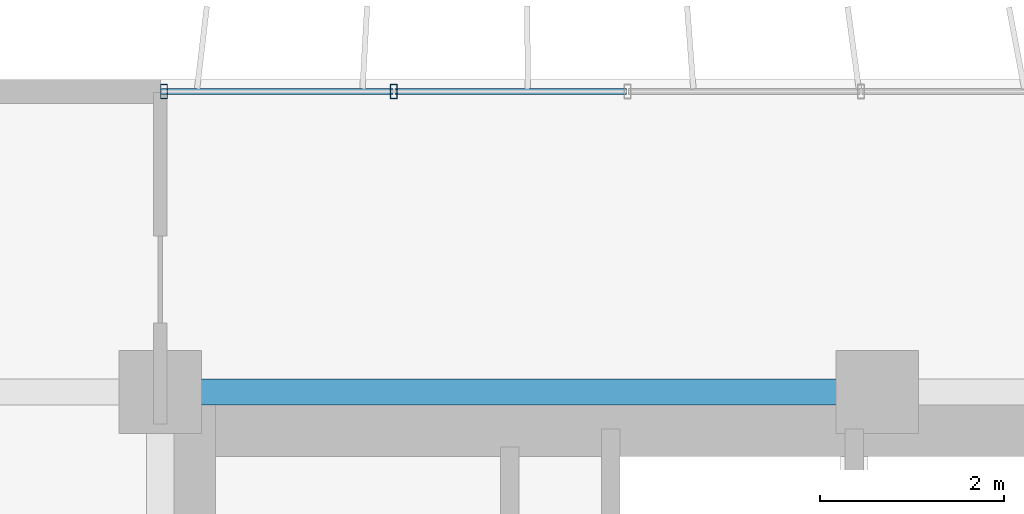
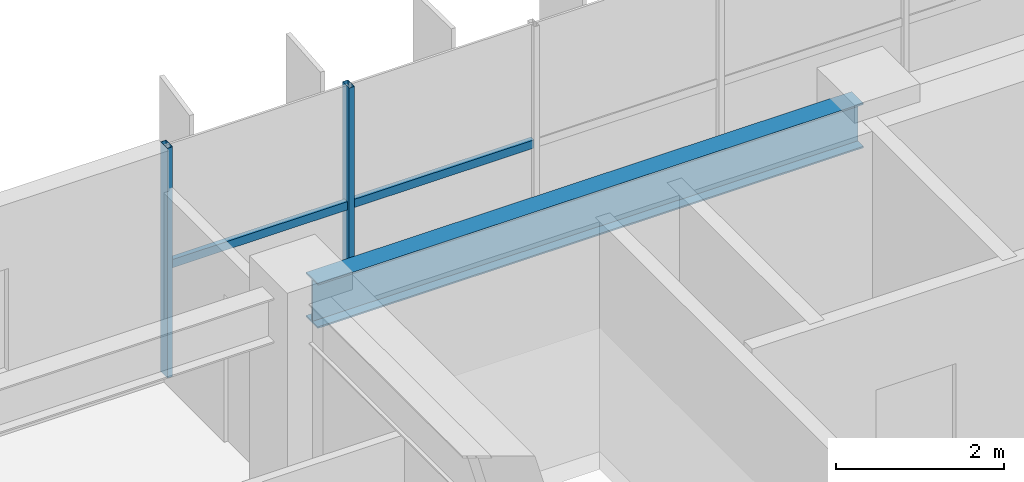
# One storey, part 8 of 25: 4 members, 1 beam, 1 element without a shape of its own.
"""IFC4 building model written with IfcOpenShell, lengths in metres."""

from ifc_helpers import new_model, si_unit, direction, frame, origin, origin_2d, place, context, subcontext, project, spatial, hollow_rectangle, i_section, extrude, source, transform, mapped, material, material_profile, profile_set, type_object, element, aggregate, save


model = new_model("IFC4")

# Units and contexts
model_context = context("Model", 3, precision=1e-05, world=origin(), true_north=direction((0.0, 1.0)))
body_context = subcontext(model_context, "Body", "Model", "MODEL_VIEW")
ifc_project = project(units=[si_unit("LENGTHUNIT", "METRE"), si_unit("AREAUNIT", "SQUARE_METRE"), si_unit("VOLUMEUNIT", "CUBIC_METRE"), si_unit("PLANEANGLEUNIT", "RADIAN"), si_unit("MASSUNIT", "GRAM", prefix="KILO")], contexts=[model_context])

# Site, building, storey
site_placement = place(None, origin())
site = spatial("IfcSite", under=ifc_project, at=site_placement, CompositionType="ELEMENT")
building_placement = place(site_placement, origin())
building = spatial("IfcBuilding", under=site, at=building_placement, Name="Trelvane Seafront Commons", CompositionType="ELEMENT")
storey_placement = place(building_placement, frame((0.0, 0.0, 66.699951171875)))
storey = spatial("IfcBuildingStorey", under=building, at=storey_placement, Name="L17", CompositionType="ELEMENT", Elevation=66.699951171875)

# Beam
ifc_material_1 = material(Name="Steel SM355 (S355)", Category="steel")
ifc_material_profile_1 = material_profile(ifc_material_1, i_section(OverallWidth=0.280029296875, OverallDepth=0.64990234375, WebThickness=0.012939453125, FlangeThickness=0.02197265625, at=origin_2d()), Name="H-650x280x13x22")
ifc_profile_set_1 = profile_set([ifc_material_profile_1], Name="Steel SM355 (S355)")
beam_type = type_object("IfcBeamType", Name="STR-BM-H650", PredefinedType="BEAM", material=ifc_profile_set_1)
shared_shape_1 = source(origin(), body_context, "Body", "SweptSolid", [
    extrude(i_section(OverallWidth=0.280029296875, OverallDepth=0.64990234375, WebThickness=0.012939453125, FlangeThickness=0.02197265625, at=origin_2d()), origin(), (0.0, 0.0, 1.0), 7.5),
])
beam_placement = place(storey_placement, frame((15.75, 45.10009765625, 3.01513671875), z_axis=(1.0, 0.0, 0.0), x_axis=(0.0, 1.0, 0.0)))
element("IfcBeam", 1, at=beam_placement, inside=storey, type_object=beam_type, Name="L17 Primary Girder G-30", PredefinedType="BEAM", context=body_context, shape_type="MappedRepresentation", body=[
    mapped(shared_shape_1, transform((0.0, 0.0, 0.0), x_axis=(1.0, 0.0, 0.0), y_axis=(0.0, 1.0, 0.0), z_axis=(0.0, 0.0, 1.0), scale=1.0)),
])

# Curtain wall, members
ifc_material_2 = material(Name="Anodised pale-silver aluminium", Category="aluminium")
curtain_wall_type = type_object("IfcCurtainWallType", Name="ARCH-CW2-LOWTOWER", PredefinedType="NOTDEFINED", material=ifc_material_2)
curtain_wall_placement = place(storey_placement, origin())
curtain_wall = element("IfcCurtainWall", 2, at=curtain_wall_placement, inside=storey, type_object=curtain_wall_type, Name="CW-L17-0041", PredefinedType="NOTDEFINED")
ifc_material_profile_2 = material_profile(ifc_material_2, hollow_rectangle(XDim=0.074951171875, YDim=0.159912109375, WallThickness=0.00390625, at=origin_2d()), Name="MULL-75x160x4")
ifc_profile_set_2 = profile_set([ifc_material_profile_2], Name="Anodised pale-silver aluminium")
member_type_1 = type_object("IfcMemberType", Name="ARCH-CW-MULL-160", PredefinedType="MULLION", material=ifc_profile_set_2)
shared_shape_2 = source(origin(), body_context, "Body", "SweptSolid", [
    extrude(hollow_rectangle(XDim=0.074951171875, YDim=0.159912109375, WallThickness=0.00390625, at=origin_2d()), origin(), (0.0, 0.0, 1.0), 3.340087890625),
])
member_1_placement = place(storey_placement, frame((15.639892578125, 48.3701171875, 0.0), z_axis=(0.0, 0.0, 1.0), x_axis=(1.0, 0.0, 0.0)))
member_1 = element("IfcMember", 3, at=member_1_placement, type_object=member_type_1, Name="CW-L17-0041-M00", PredefinedType="MULLION", context=body_context, shape_type="MappedRepresentation", body=[
    mapped(shared_shape_2, transform((0.0, 0.0, 0.0), x_axis=(1.0, 0.0, 0.0), y_axis=(0.0, 1.0, 0.0), z_axis=(0.0, 0.0, 1.0), scale=1.0)),
])
member_2_placement = place(storey_placement, frame((18.14111328125, 48.3701171875, 0.0), z_axis=(0.0, 0.0, 1.0), x_axis=(1.0, 0.0, 0.0)))
member_2 = element("IfcMember", 4, at=member_2_placement, type_object=member_type_1, Name="CW-L17-0041-M01", PredefinedType="MULLION", context=body_context, shape_type="MappedRepresentation", body=[
    mapped(shared_shape_2, transform((0.0, 0.0, 0.0), x_axis=(1.0, 0.0, 0.0), y_axis=(0.0, 1.0, 0.0), z_axis=(0.0, 0.0, 1.0), scale=1.0)),
])
ifc_material_profile_3 = material_profile(ifc_material_2, hollow_rectangle(XDim=0.070068359375, YDim=0.1201171875, WallThickness=0.00390625, at=origin_2d()), Name="TRAN-70x120x4")
ifc_profile_set_3 = profile_set([ifc_material_profile_3], Name="Anodised pale-silver aluminium")
member_type_2 = type_object("IfcMemberType", Name="ARCH-CW-TRAN-120", PredefinedType="USERDEFINED", material=ifc_profile_set_3)
shared_shape_3 = source(origin(), body_context, "Body", "SweptSolid", [
    extrude(hollow_rectangle(XDim=0.070068359375, YDim=0.1201171875, WallThickness=0.00390625, at=origin_2d()), origin(), (0.0, 0.0, 1.0), 2.51708984375),
])
member_3_placement = place(storey_placement, frame((15.612060546875, 48.3701171875, 1.60302734375), z_axis=(1.0, 0.0, 0.0), x_axis=(0.0, 1.0, 0.0)))
member_3 = element("IfcMember", 5, at=member_3_placement, type_object=member_type_2, Name="CW-L17-0041-T00", ObjectType="TRANSOM", PredefinedType="USERDEFINED", context=body_context, shape_type="MappedRepresentation", body=[
    mapped(shared_shape_3, transform((0.0, 0.0, 0.0), x_axis=(1.0, 0.0, 0.0), y_axis=(0.0, 1.0, 0.0), z_axis=(0.0, 0.0, 1.0), scale=1.0)),
])
member_4_placement = place(storey_placement, frame((18.1533203125, 48.3701171875, 1.60302734375), z_axis=(1.0, 0.0, 0.0), x_axis=(0.0, 1.0, 0.0)))
member_4 = element("IfcMember", 6, at=member_4_placement, type_object=member_type_2, Name="CW-L17-0041-T01", ObjectType="TRANSOM", PredefinedType="USERDEFINED", context=body_context, shape_type="MappedRepresentation", body=[
    mapped(shared_shape_3, transform((0.0, 0.0, 0.0), x_axis=(1.0, 0.0, 0.0), y_axis=(0.0, 1.0, 0.0), z_axis=(0.0, 0.0, 1.0), scale=1.0)),
])
aggregate(curtain_wall, [member_1, member_2, member_3, member_4])

save(model, "model.ifc")
